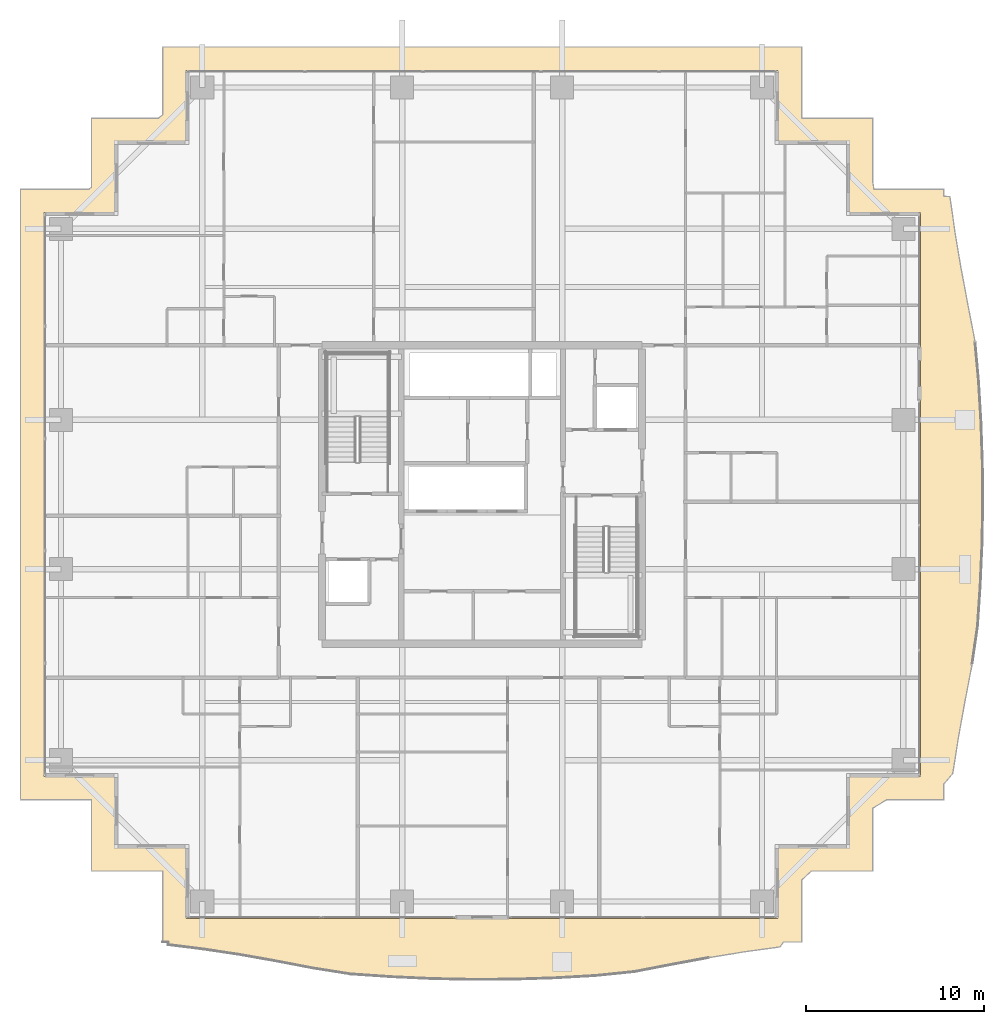
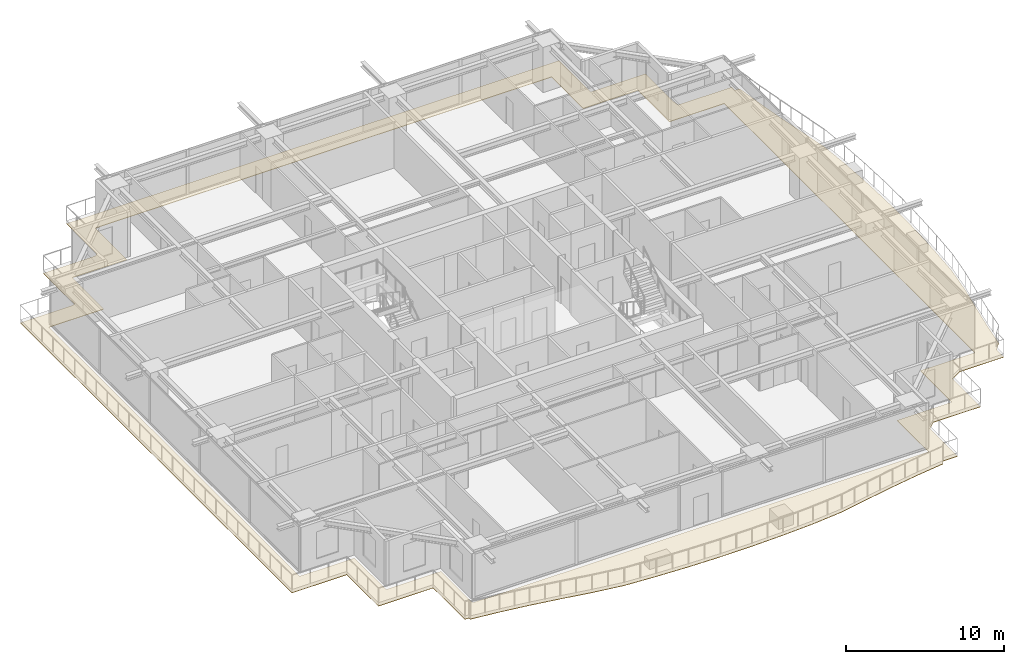
# One storey, part 34 of 36: 1 covering.
"""IFC4 building model written with IfcOpenShell, lengths in metres."""

from ifc_helpers import new_model, si_unit, direction, frame, origin, place, context, subcontext, project, spatial, polyline, outline, extrude, material, layer, layer_set, type_object, element, save


model = new_model("IFC4")

# Units and contexts
model_context = context("Model", 3, precision=1e-05, world=origin(), true_north=direction((0.0, 1.0)))
body_context = subcontext(model_context, "Body", "Model", "MODEL_VIEW")
ifc_project = project(units=[si_unit("LENGTHUNIT", "METRE"), si_unit("AREAUNIT", "SQUARE_METRE"), si_unit("VOLUMEUNIT", "CUBIC_METRE"), si_unit("PLANEANGLEUNIT", "RADIAN"), si_unit("MASSUNIT", "GRAM", prefix="KILO")], contexts=[model_context])

# Site, building, storey
site_placement = place(None, origin())
site = spatial("IfcSite", under=ifc_project, at=site_placement, CompositionType="ELEMENT")
building_placement = place(site_placement, origin())
building = spatial("IfcBuilding", under=site, at=building_placement, Name="Serunith Strait Residences", CompositionType="ELEMENT")
storey_placement = place(building_placement, frame((0.0, 0.0, 131.39990234375)))
storey = spatial("IfcBuildingStorey", under=building, at=storey_placement, Name="L32", CompositionType="ELEMENT", Elevation=131.39990234375)

# Covering
ifc_material = material(Name="Golden Teak Exterior Timber Boarding", Category="wood")
ifc_layer = layer(ifc_material, 0.034912109375, Name="Golden Teak Exterior Timber Boarding")
ifc_layer_set = layer_set([ifc_layer], Name="Golden Teak Exterior Timber Boarding")
covering_type = type_object("IfcCoveringType", Name="COV-TEAK-SOFFIT", PredefinedType="CEILING", material=ifc_layer_set)
covering_placement = place(storey_placement, frame((0.0, 0.0, -0.324951171875)))
element("IfcCovering", 1, at=covering_placement, inside=storey, type_object=covering_type, Name="L32 Golden-Teak Balcony Soffit Lining", PredefinedType="CEILING", context=body_context, shape_type="SweptSolid", body=[
    extrude(outline(polyline([(14.419921875, 0.02001953125), (14.419921875, 4.02001953125), (10.419921875, 4.02001953125), (10.419921875, 8.02001953125), (6.419921875, 8.02001953125), (6.419921875, 42.3798828125), (10.284912109375, 42.3798828125), (10.419921875, 42.47802734375), (10.419921875, 46.3798828125), (14.1982421875, 46.3798828125), (14.419921875, 46.55908203125), (14.419921875, 50.3798828125), (50.3798828125, 50.3798828125), (50.3798828125, 46.3798828125), (54.3798828125, 46.3798828125), (54.3798828125, 42.786376953125), (54.440673828125, 42.3798828125), (58.3798828125, 42.3798828125), (58.3798828125, 41.981689453125), (58.720703125, 41.96240234375), (59.00439453125, 39.962158203125), (59.34423828125, 37.94189453125), (59.730712890625, 35.884033203125), (60.139892578125, 33.77001953125), (60.34228515625, 31.5419921875), (60.475341796875, 29.2705078125), (60.5556640625, 26.97412109375), (60.575439453125, 24.66552734375), (60.532470703125, 22.360107421875), (60.431396484375, 20.072265625), (60.281494140625, 17.81396484375), (59.966796875, 15.6376953125), (59.563720703125, 13.550537109375), (59.195556640625, 11.51171875), (58.879638671875, 9.50244140625), (58.3798828125, 8.919921875), (58.3798828125, 8.02001953125), (55.162841796875, 8.02001953125), (54.3798828125, 7.553955078125), (54.3798828125, 4.02001953125), (50.922119140625, 4.02001953125), (50.3798828125, 3.5), (50.3798828125, 0.02001953125), (49.3544921875, 0.02001953125), (49.156494140625, -0.255859375), (47.156982421875, -0.52978515625), (45.138916015625, -0.86181640625), (43.084716796875, -1.242919921875), (40.97412109375, -1.650390625), (38.751953125, -1.876220703125), (36.476806640625, -2.00439453125), (34.176513671875, -2.079345703125), (31.86474609375, -2.09326171875), (29.55712890625, -2.044921875), (27.268798828125, -1.939208984375), (25.010986328125, -1.7861328125), (22.846923828125, -1.44384765625), (20.76611328125, -1.044921875), (18.731689453125, -0.686279296875), (16.724365234375, -0.3828125), (14.728271484375, -0.13671875), (14.7294921875, 0.02001953125), (14.419921875, 0.02001953125)]), holes=[polyline([(49.054931640625, 1.344970703125), (49.054931640625, 5.344970703125), (53.054931640625, 5.344970703125), (53.054931640625, 9.344970703125), (57.054931640625, 9.344970703125), (57.054931640625, 41.054931640625), (53.054931640625, 41.054931640625), (53.054931640625, 45.054931640625), (49.054931640625, 45.054931640625), (49.054931640625, 49.054931640625), (15.7451171875, 49.054931640625), (15.7451171875, 45.054931640625), (11.7451171875, 45.054931640625), (11.7451171875, 41.054931640625), (7.7451171875, 41.054931640625), (7.7451171875, 9.344970703125), (11.7451171875, 9.344970703125), (11.7451171875, 5.344970703125), (15.7451171875, 5.344970703125), (15.7451171875, 1.344970703125), (49.054931640625, 1.344970703125)])]), origin(), (0.0, 0.0, 1.0), 0.03515625),
])

save(model, "model.ifc")
